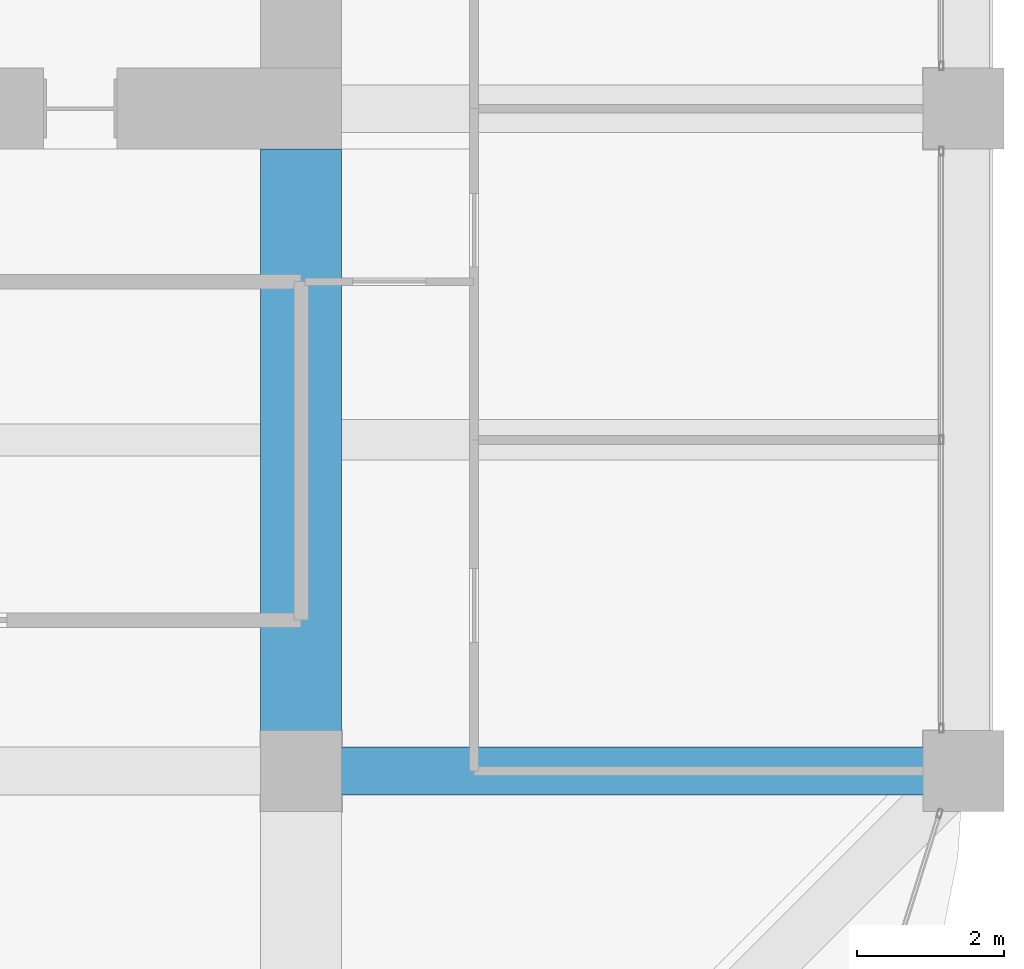
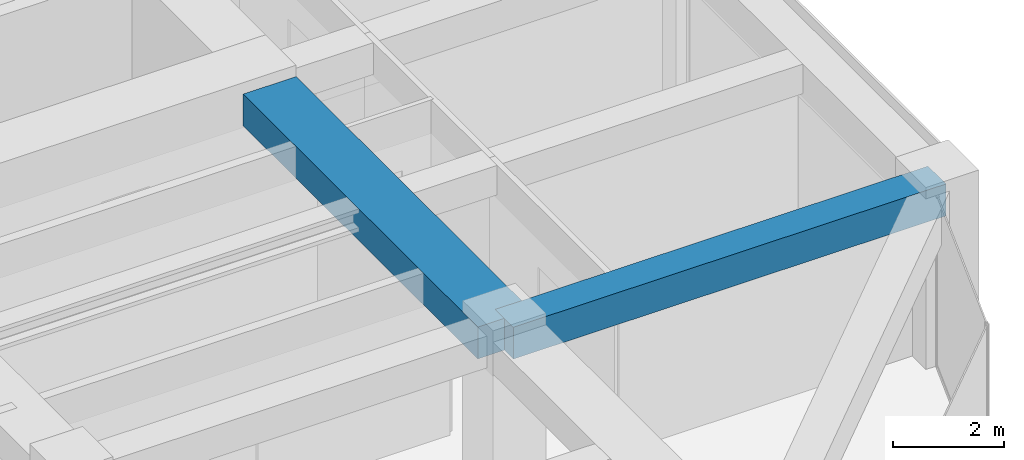
# One storey, part 21 of 44: 2 beams.
"""IFC4 building model written with IfcOpenShell, lengths in metres."""

from ifc_helpers import new_model, si_unit, direction, frame, origin, origin_2d, place, context, subcontext, project, spatial, rectangle, extrude, material, material_profile, profile_set, type_object, element, save


model = new_model("IFC4")

# Units and contexts
model_context = context("Model", 3, precision=1e-05, world=origin(), true_north=direction((0.0, 1.0)))
body_context = subcontext(model_context, "Body", "Model", "MODEL_VIEW")
ifc_project = project(units=[si_unit("LENGTHUNIT", "METRE"), si_unit("AREAUNIT", "SQUARE_METRE"), si_unit("VOLUMEUNIT", "CUBIC_METRE"), si_unit("PLANEANGLEUNIT", "RADIAN"), si_unit("MASSUNIT", "GRAM", prefix="KILO")], contexts=[model_context])

# Site, building, storey
site_placement = place(None, origin())
site = spatial("IfcSite", under=ifc_project, at=site_placement, CompositionType="ELEMENT")
building_placement = place(site_placement, origin())
building = spatial("IfcBuilding", under=site, at=building_placement, Name="Zorevar Civic Tower", CompositionType="ELEMENT")
storey_placement = place(building_placement, frame((0.0, 0.0, 263.39990234375)))
storey = spatial("IfcBuildingStorey", under=building, at=storey_placement, Name="L64", CompositionType="ELEMENT", Elevation=263.39990234375)

# Beams
ifc_material_1 = material(Name="Concrete C50/60", Category="concrete")
ifc_material_profile_1 = material_profile(ifc_material_1, rectangle(XDim=1.10009765625, YDim=0.699951171875, at=origin_2d()), Name="RC 1100x700")
ifc_profile_set_1 = profile_set([ifc_material_profile_1], Name="Concrete C50/60")
beam_type_1 = type_object("IfcBeamType", Name="Beam RC 1100x700", PredefinedType="BEAM", material=ifc_profile_set_1)
beam_1_placement = place(storey_placement, frame((45.0, 9.0, 3.400146484375), z_axis=(0.0, 1.0, 0.0), x_axis=(-1.0, 0.0, 0.0)))
element("IfcBeam", 1, at=beam_1_placement, inside=storey, type_object=beam_type_1, Name="Girder L65", PredefinedType="BEAM", context=body_context, shape_type="SweptSolid", body=[
    extrude(rectangle(XDim=1.10009765625, YDim=0.699951171875, at=origin_2d()), origin(), (0.0, 0.0, 1.0), 8.449951171875),
])
ifc_material_2 = material(Name="Concrete C50/60", Category="concrete")
ifc_material_profile_2 = material_profile(ifc_material_2, rectangle(XDim=0.64990234375, YDim=0.699951171875, at=origin_2d()), Name="RC 650x700")
ifc_profile_set_2 = profile_set([ifc_material_profile_2], Name="Concrete C50/60")
beam_type_2 = type_object("IfcBeamType", Name="Beam RC 650x700", PredefinedType="BEAM", material=ifc_profile_set_2)
beam_2_placement = place(storey_placement, frame((45.0, 9.0, 3.400146484375), z_axis=(1.0, 0.0, 0.0), x_axis=(0.0, 1.0, 0.0)))
element("IfcBeam", 2, at=beam_2_placement, inside=storey, type_object=beam_type_2, Name="Girder L65", PredefinedType="BEAM", context=body_context, shape_type="SweptSolid", body=[
    extrude(rectangle(XDim=0.64990234375, YDim=0.699951171875, at=origin_2d()), origin(), (0.0, 0.0, 1.0), 9.0),
])

save(model, "model.ifc")
